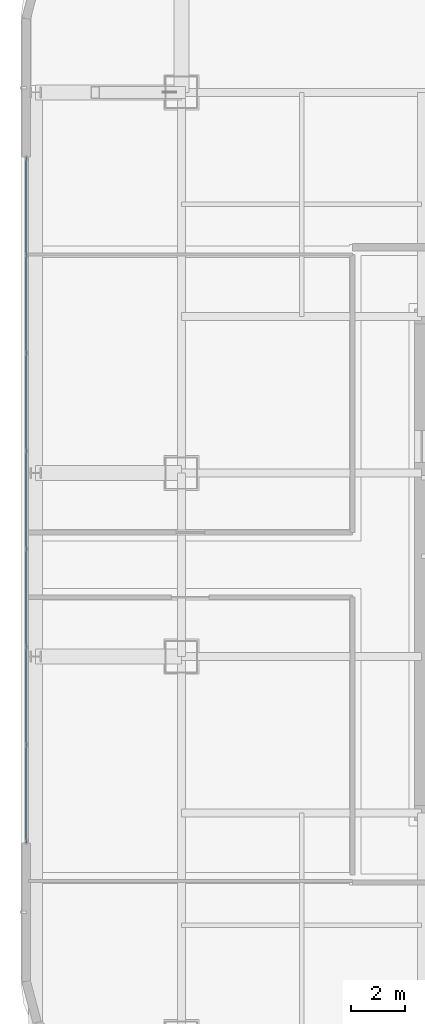
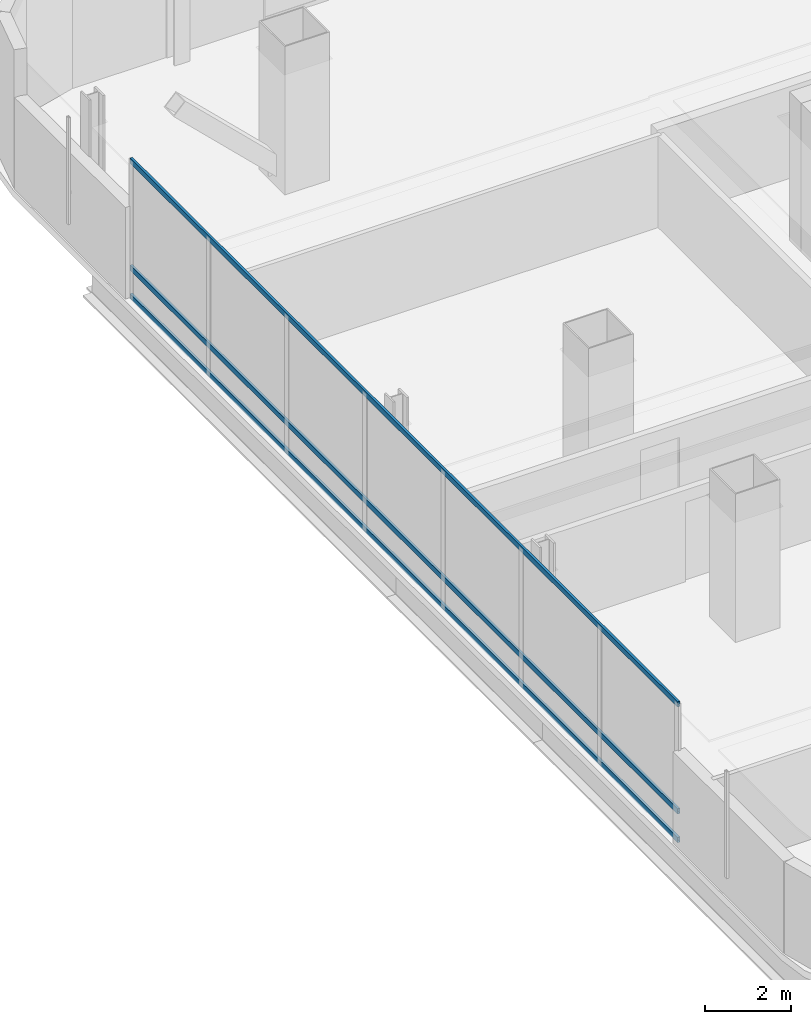
# One storey, part 10 of 51: 3 members, 1 element without a shape of its own.
"""IFC4 building model written with IfcOpenShell, lengths in metres."""

import ifcopenshell
import ifcopenshell.guid

model = None  # the IFC model being written
_history = None  # IfcOwnerHistory: only IFC2X3 demands one
_inside = {}  # id of a spatial element -> (the spatial element, [elements in it])
_under = {}  # id of a project, library or spatial element -> (it, [spatial elements below it])
_declared = {}  # id of a project -> (the project, [libraries it declares])
_typed = {}  # id of a type object -> (the type object, [elements of that type])
_made_of = {}  # id of a material, layer set ... -> (it, [elements and type objects made of it])


def new_model(schema):
    """Start an empty IFC model of exactly this schema.

    Asked for "IFC4X3", IfcOpenShell would pick the latest addendum, in which some entities
    have other attributes; the version numbers below select the first issue.
    IFC2X3 requires an IfcOwnerHistory on every rooted entity: one is made here for all.
    """
    global model, _history
    if schema == "IFC4X3":
        model = ifcopenshell.file(schema_version=(4, 3, 0, 0))
    else:
        model = ifcopenshell.file(schema=schema)
    _inside.clear()
    _under.clear()
    _declared.clear()
    _typed.clear()
    _made_of.clear()
    _history = None
    if model.schema == "IFC2X3":
        org = make("IfcOrganization", Name="unknown")
        user = make(
            "IfcPersonAndOrganization",
            ThePerson=make("IfcPerson", FamilyName="unknown"),
            TheOrganization=org,
        )
        app = make(
            "IfcApplication",
            ApplicationDeveloper=org,
            Version="unknown",
            ApplicationFullName="unknown",
            ApplicationIdentifier="unknown",
        )
        _history = make(
            "IfcOwnerHistory",
            OwningUser=user,
            OwningApplication=app,
            ChangeAction="ADDED",
            CreationDate=0,
        )
    return model


def make(cls, **values):
    """One entity of the class cls with the attributes given. An attribute that is None is left unset."""
    return model.create_entity(
        cls, **{name: value for name, value in values.items() if value is not None}
    )


def rooted(cls, **values):
    """An entity with a GlobalId (a new one), such as an element, a storey or a relation."""
    return make(cls, GlobalId=ifcopenshell.guid.new(), OwnerHistory=_history, **values)


def si_unit(unit_type, name, prefix=None):
    """IfcSIUnit, for example si_unit("LENGTHUNIT", "METRE", prefix="MILLI")."""
    return make("IfcSIUnit", UnitType=unit_type, Prefix=prefix, Name=name)


def assignment(units):
    """IfcUnitAssignment: the units of a project."""
    return None if units is None else make("IfcUnitAssignment", Units=units)


def point(xyz):
    """IfcCartesianPoint."""
    return None if xyz is None else make("IfcCartesianPoint", Coordinates=xyz)


def direction(xyz):
    """IfcDirection."""
    return None if xyz is None else make("IfcDirection", DirectionRatios=xyz)


def frame(location, z_axis=None, x_axis=None):
    """IfcAxis2Placement3D, a coordinate frame: its origin and axes. An axis left out is left unset."""
    return make(
        "IfcAxis2Placement3D",
        Location=point(location),
        Axis=direction(z_axis),
        RefDirection=direction(x_axis),
    )


def frame_2d(location, x_axis=None):
    """IfcAxis2Placement2D, a coordinate frame in the plane: its origin and x axis."""
    return make(
        "IfcAxis2Placement2D", Location=point(location), RefDirection=direction(x_axis)
    )


def origin():
    """The frame at (0, 0, 0) with its axes left unset."""
    return frame((0.0, 0.0, 0.0))


def origin_2d():
    """The frame at (0, 0) in the plane with its x axis left unset."""
    return frame_2d((0.0, 0.0))


def place(relative_to, where):
    """IfcLocalPlacement: puts the frame where relative to a parent placement (None: the world)."""
    return make(
        "IfcLocalPlacement", PlacementRelTo=relative_to, RelativePlacement=where
    )


def context(
    kind, dimensions, precision=None, world=None, true_north=None, identifier=None
):
    """IfcGeometricRepresentationContext, for example the 3D "Model" context."""
    return make(
        "IfcGeometricRepresentationContext",
        ContextIdentifier=identifier,
        ContextType=kind,
        CoordinateSpaceDimension=dimensions,
        Precision=precision,
        WorldCoordinateSystem=world,
        TrueNorth=true_north,
    )


def subcontext(parent, identifier, kind, view, scale=None):
    """IfcGeometricRepresentationSubContext, for example "Body" below "Model"."""
    return make(
        "IfcGeometricRepresentationSubContext",
        ContextIdentifier=identifier,
        ContextType=kind,
        ParentContext=parent,
        TargetScale=scale,
        TargetView=view,
    )


def project(units=None, contexts=None):
    """IfcProject with its units and contexts."""
    return rooted(
        "IfcProject",
        Name="project",
        RepresentationContexts=contexts,
        UnitsInContext=assignment(units),
    )


def spatial(cls, under=None, at=None, **own):
    """A site, building, storey or space (cls), placed at a placement, below another one or the project."""
    s = rooted(cls, ObjectPlacement=at, **own)
    if under is not None:
        _under.setdefault(under.id(), (under, []))[1].append(s)
    return s


def profile(cls, at=None, kind="AREA", **sizes):
    """A parametric profile (cls). Its sizes go by their IFC names, for example OverallWidth=200.0."""
    return make(cls, ProfileType=kind, Position=at, **sizes)


def hollow_rectangle(**sizes):
    """IfcRectangleHollowProfileDef."""
    return profile("IfcRectangleHollowProfileDef", **sizes)


def extrude(swept, where, along, depth):
    """IfcExtrudedAreaSolid: the profile swept, set in the frame where, extruded along a direction by depth."""
    return make(
        "IfcExtrudedAreaSolid",
        SweptArea=swept,
        Position=where,
        ExtrudedDirection=direction(along),
        Depth=depth,
    )


def shape(context_of_items, identifier, shape_type, items):
    """IfcShapeRepresentation: the items that make up one representation, for example the "Body"."""
    return make(
        "IfcShapeRepresentation",
        ContextOfItems=context_of_items,
        RepresentationIdentifier=identifier,
        RepresentationType=shape_type,
        Items=items,
    )


def material(Name=None, Category=None):
    """IfcMaterial."""
    return make("IfcMaterial", Name=Name, Category=Category)


def material_profile(
    of_material, cross_section, Name=None, Category=None, Priority=None
):
    """IfcMaterialProfile: a cross section and its material."""
    return make(
        "IfcMaterialProfile",
        Name=Name,
        Material=of_material,
        Profile=cross_section,
        Priority=Priority,
        Category=Category,
    )


def profile_set(profiles, Name=None, composite=None):
    """IfcMaterialProfileSet."""
    return make(
        "IfcMaterialProfileSet",
        Name=Name,
        MaterialProfiles=profiles,
        CompositeProfile=composite,
    )


def made_of(thing, what):
    """Note that an element or type object is made of a material, layer set ...; save() writes the relation."""
    if what is not None:
        _made_of.setdefault(what.id(), (what, []))[1].append(thing)
    return thing


def type_object(cls, material=None, **own):
    """A type object (cls), such as IfcWallType, which elements share."""
    return made_of(rooted(cls, **own), material)


def element(
    cls,
    number,
    at=None,
    inside=None,
    cuts=None,
    type_object=None,
    material=None,
    context=None,
    identifier="Body",
    shape_type=None,
    held_by="IfcProductDefinitionShape",
    body=None,
    shapes=None,
    **own,
):
    """One element of the class cls, such as IfcWall. Its Tag is "e" and its number.

    at: its placement. inside: the storey or other place that contains it. cuts: it is an
    opening in that element (IfcRelVoidsElement). A single representation is given by context,
    identifier, shape_type and body (its items); several are given by shapes. held_by: the class
    of the entity that holds the representations. save() writes the other relations.
    """
    e = rooted(cls, Tag="e%d" % number, ObjectPlacement=at, **own)
    if body is not None:
        shapes = [shape(context, identifier, shape_type, body)]
    if shapes is not None:
        e.Representation = make(held_by, Representations=shapes)
    if inside is not None:
        _inside.setdefault(inside.id(), (inside, []))[1].append(e)
    if cuts is not None:
        rooted(
            "IfcRelVoidsElement", RelatingBuildingElement=cuts, RelatedOpeningElement=e
        )
    if type_object is not None:
        _typed.setdefault(type_object.id(), (type_object, []))[1].append(e)
    return made_of(e, material)


def aggregate(whole, parts):
    """IfcRelAggregates: a whole, such as a stair, and the parts it consists of."""
    return rooted("IfcRelAggregates", RelatingObject=whole, RelatedObjects=parts)


def save(model, path):
    """Write the relations noted so far, then the file.

    IfcRelAggregates (storeys below a building ...), IfcRelContainedInSpatialStructure (elements
    in a storey), IfcRelDefinesByType, IfcRelAssociatesMaterial and IfcRelDeclares: one each for
    every whole, place, type object, material and project.
    """
    for whole, parts in _under.values():
        aggregate(whole, parts)
    for where, things in _inside.values():
        rooted(
            "IfcRelContainedInSpatialStructure",
            RelatedElements=things,
            RelatingStructure=where,
        )
    for kind, things in _typed.values():
        rooted("IfcRelDefinesByType", RelatedObjects=things, RelatingType=kind)
    for what, things in _made_of.values():
        rooted("IfcRelAssociatesMaterial", RelatedObjects=things, RelatingMaterial=what)
    for by, libraries in _declared.values():
        rooted("IfcRelDeclares", RelatingContext=by, RelatedDefinitions=libraries)
    model.write(path)


model = new_model("IFC4")

# Units and contexts
model_context = context("Model", 3, precision=1e-05, world=origin(), true_north=direction((0.0, 1.0)))
body_context = subcontext(model_context, "Body", "Model", "MODEL_VIEW")
ifc_project = project(units=[si_unit("LENGTHUNIT", "METRE"), si_unit("AREAUNIT", "SQUARE_METRE"), si_unit("VOLUMEUNIT", "CUBIC_METRE"), si_unit("PLANEANGLEUNIT", "RADIAN"), si_unit("MASSUNIT", "GRAM", prefix="KILO")], contexts=[model_context])

# Site, building, storey
site_placement = place(None, origin())
site = spatial("IfcSite", under=ifc_project, at=site_placement, CompositionType="ELEMENT")
building_placement = place(site_placement, origin())
building = spatial("IfcBuilding", under=site, at=building_placement, Name="Punatoya Terracotta Tower", CompositionType="ELEMENT")
storey_placement = place(building_placement, frame((0.0, 0.0, 313.199951171875)))
storey = spatial("IfcBuildingStorey", under=building, at=storey_placement, Name="L74", CompositionType="ELEMENT", Elevation=313.199951171875)

# Curtain wall, members
ifc_material_1 = material(Name="Aluminium 6063-T6 + Double Low-E Glass", Category="aluminium")
curtain_wall_type = type_object("IfcCurtainWallType", Name="CW-M3", PredefinedType="NOTDEFINED", material=ifc_material_1)
curtain_wall_placement = place(storey_placement, origin())
curtain_wall = element("IfcCurtainWall", 1, at=curtain_wall_placement, inside=storey, type_object=curtain_wall_type, Name="L74 Curtain Wall CW-L74-W13-1", PredefinedType="NOTDEFINED")
ifc_material_2 = material(Name="Aluminium 6063-T6", Category="aluminium")
ifc_material_profile = material_profile(ifc_material_2, hollow_rectangle(XDim=0.068115234375, YDim=0.14990234375, WallThickness=0.00390625, at=origin_2d()))
ifc_profile_set = profile_set([ifc_material_profile], Name="Aluminium 6063-T6")
member_type = type_object("IfcMemberType", Name="CW-TRN-TYP", PredefinedType="USERDEFINED", material=ifc_profile_set)
member_1_placement = place(storey_placement, frame((-24.85009765625, 15.10009765625, 0.0400390625), z_axis=(0.0, -1.0, 0.0), x_axis=(1.0, 0.0, 0.0)))
member_1 = element("IfcMember", 2, at=member_1_placement, type_object=member_type, Name="CW-L74-W13-1 Transom 1", ObjectType="TRANSOM", PredefinedType="USERDEFINED", context=body_context, shape_type="SweptSolid", body=[
    extrude(hollow_rectangle(XDim=0.068115234375, YDim=0.14990234375, WallThickness=0.00390625, at=origin_2d()), origin(), (0.0, 0.0, 1.0), 25.400146484375),
])
member_2_placement = place(storey_placement, frame((-24.85009765625, 15.10009765625, 0.85009765625), z_axis=(0.0, -1.0, 0.0), x_axis=(1.0, 0.0, 0.0)))
member_2 = element("IfcMember", 3, at=member_2_placement, type_object=member_type, Name="CW-L74-W13-1 Transom 2", ObjectType="TRANSOM", PredefinedType="USERDEFINED", context=body_context, shape_type="SweptSolid", body=[
    extrude(hollow_rectangle(XDim=0.068115234375, YDim=0.14990234375, WallThickness=0.00390625, at=origin_2d()), origin(), (0.0, 0.0, 1.0), 25.400146484375),
])
member_3_placement = place(storey_placement, frame((-24.85009765625, 15.10009765625, 3.880126953125), z_axis=(0.0, -1.0, 0.0), x_axis=(1.0, 0.0, 0.0)))
member_3 = element("IfcMember", 4, at=member_3_placement, type_object=member_type, Name="CW-L74-W13-1 Transom 3", ObjectType="TRANSOM", PredefinedType="USERDEFINED", context=body_context, shape_type="SweptSolid", body=[
    extrude(hollow_rectangle(XDim=0.068115234375, YDim=0.14990234375, WallThickness=0.00390625, at=origin_2d()), origin(), (0.0, 0.0, 1.0), 25.400146484375),
])
aggregate(curtain_wall, [member_1, member_2, member_3])

save(model, "model.ifc")
